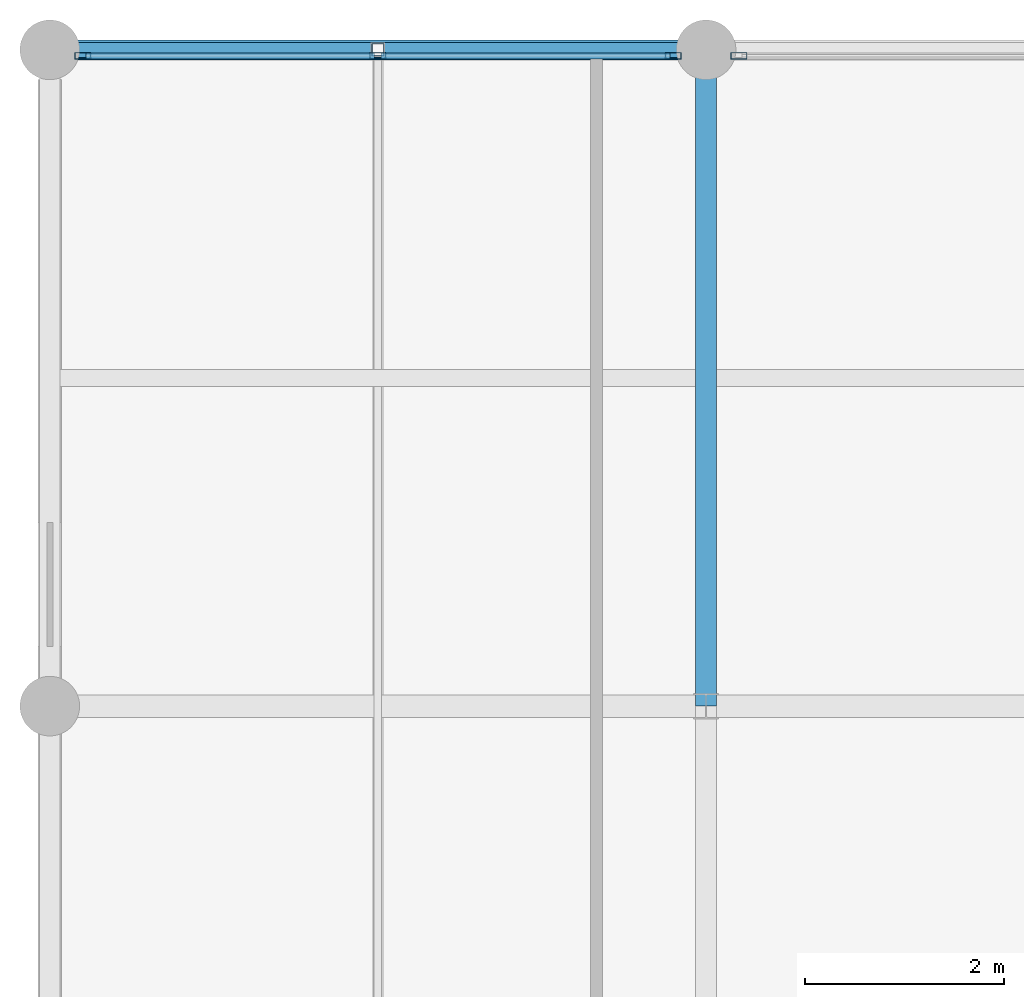
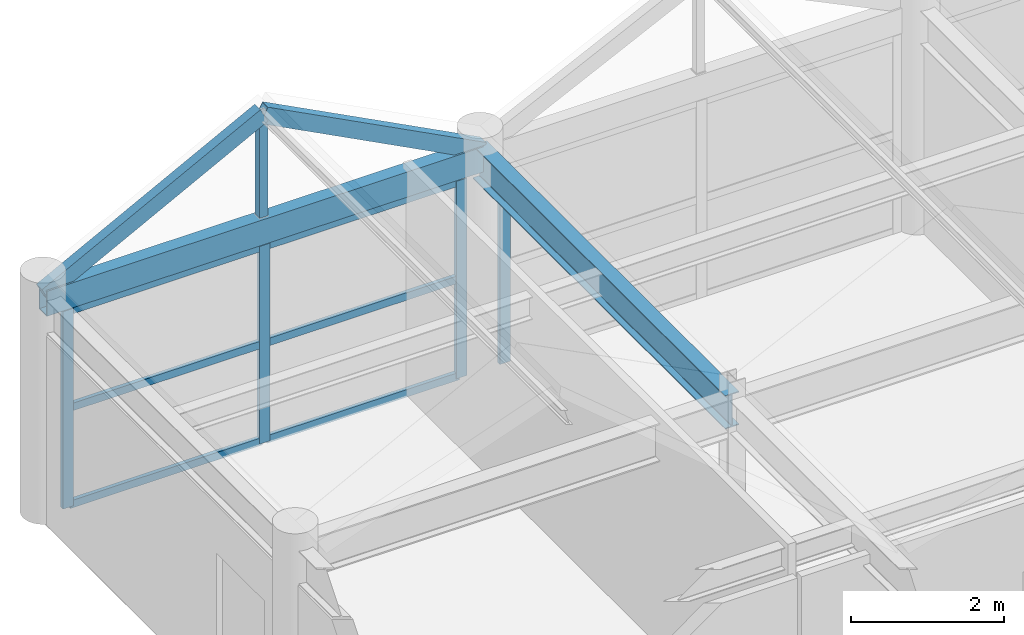
# One storey, part 8 of 21: 13 members, 2 beams, 2 elements without a shape of their own.
"""IFC4 building model written with IfcOpenShell, lengths in metres."""

from ifc_helpers import new_model, si_unit, direction, frame, origin, origin_2d, place, context, subcontext, project, spatial, hollow_rectangle, i_section, extrude, material, material_profile, profile_set, type_object, element, aggregate, save


model = new_model("IFC4")

# Units and contexts
model_context = context("Model", 3, precision=1e-05, world=origin(), true_north=direction((0.0, 1.0)))
body_context = subcontext(model_context, "Body", "Model", "MODEL_VIEW")
ifc_project = project(units=[si_unit("LENGTHUNIT", "METRE"), si_unit("AREAUNIT", "SQUARE_METRE"), si_unit("VOLUMEUNIT", "CUBIC_METRE"), si_unit("PLANEANGLEUNIT", "RADIAN"), si_unit("MASSUNIT", "GRAM", prefix="KILO")], contexts=[model_context])

# Site, building, storey
site_placement = place(None, origin())
site = spatial("IfcSite", under=ifc_project, at=site_placement, CompositionType="ELEMENT")
building_placement = place(site_placement, origin())
building = spatial("IfcBuilding", under=site, at=building_placement, Name="Karori Crest Natural Sciences Institute", CompositionType="ELEMENT")
storey_placement = place(building_placement, frame((0.0, 0.0, 42.0)))
storey = spatial("IfcBuildingStorey", under=building, at=storey_placement, Name="L10", CompositionType="ELEMENT", Elevation=42.0)

# Beams
ifc_material_1 = material(Name="Structural steel AS/NZS 3679.1 Grade 350", Category="steel")
ifc_material_profile_1 = material_profile(ifc_material_1, i_section(OverallWidth=0.208984375, OverallDepth=0.532958984375, WebThickness=0.01025390625, FlangeThickness=0.015625, FilletRadius=0.013916015625, at=origin_2d()), Name="530UB92.4")
ifc_profile_set_1 = profile_set([ifc_material_profile_1], Name="Structural steel AS/NZS 3679.1 Grade 350")
beam_type_1 = type_object("IfcBeamType", Name="BT-05", PredefinedType="BEAM", material=ifc_profile_set_1)
beam_1_placement = place(storey_placement, frame((110.199951171875, 14.0, 3.303466796875), z_axis=(0.0, 1.0, 0.0), x_axis=(-1.0, 0.0, 0.0)))
element("IfcBeam", 1, at=beam_1_placement, inside=storey, type_object=beam_type_1, Name="Beam B-2852", PredefinedType="BEAM", context=body_context, shape_type="SweptSolid", body=[
    extrude(i_section(OverallWidth=0.208984375, OverallDepth=0.532958984375, WebThickness=0.01025390625, FlangeThickness=0.015625, FilletRadius=0.013916015625, at=origin_2d()), origin(), (0.0, 0.0, 1.0), 6.60009765625),
])
ifc_material_2 = material(Name="Hollow structural steel AS/NZS 1163 Grade C350", Category="steel")
ifc_material_profile_2 = material_profile(ifc_material_2, hollow_rectangle(XDim=0.199951171875, YDim=0.39990234375, WallThickness=0.012451171875, at=origin_2d()), Name="RHS400x200x12.5")
ifc_profile_set_2 = profile_set([ifc_material_profile_2], Name="Hollow structural steel AS/NZS 1163 Grade C350")
beam_type_2 = type_object("IfcBeamType", Name="BT-14", PredefinedType="SPANDREL", material=ifc_profile_set_2)
beam_2_placement = place(storey_placement, frame((103.60009765625, 20.60009765625, 3.3701171875), z_axis=(1.0, 0.0, 0.0), x_axis=(0.0, 1.0, 0.0)))
element("IfcBeam", 2, at=beam_2_placement, inside=storey, type_object=beam_type_2, Name="Beam B-2842", PredefinedType="SPANDREL", context=body_context, shape_type="SweptSolid", body=[
    extrude(hollow_rectangle(XDim=0.199951171875, YDim=0.39990234375, WallThickness=0.012451171875, at=origin_2d()), origin(), (0.0, 0.0, 1.0), 6.599853515625),
])

# Curtain wall, members
ifc_material_3 = material(Name="Anodised architectural aluminium 6063-T6", Category="aluminium")
curtain_wall_type = type_object("IfcCurtainWallType", Name="CWT-20", PredefinedType="NOTDEFINED", material=ifc_material_3)
curtain_wall_1_placement = place(storey_placement, origin())
curtain_wall_1 = element("IfcCurtainWall", 3, at=curtain_wall_1_placement, inside=storey, type_object=curtain_wall_type, Name="Curtain wall CW-0379", PredefinedType="NOTDEFINED")
ifc_material_profile_3 = material_profile(ifc_material_3, hollow_rectangle(XDim=0.06494140625, YDim=0.159912109375, WallThickness=0.00390625, at=origin_2d()), Name="CWM160x65x4")
ifc_profile_set_3 = profile_set([ifc_material_profile_3], Name="Anodised architectural aluminium 6063-T6")
member_type_1 = type_object("IfcMemberType", Name="CWM-01", PredefinedType="MULLION", material=ifc_profile_set_3)
member_1_placement = place(storey_placement, frame((103.930419921875, 20.5400390625, 0.0), z_axis=(0.0, 0.0, 1.0), x_axis=(0.0, 1.0, 0.0)))
member_1 = element("IfcMember", 4, at=member_1_placement, type_object=member_type_1, Name="CW-0379 mullion 1", PredefinedType="MULLION", context=body_context, shape_type="SweptSolid", body=[
    extrude(hollow_rectangle(XDim=0.06494140625, YDim=0.159912109375, WallThickness=0.00390625, at=origin_2d()), origin(), (0.0, 0.0, 1.0), 3.155029296875),
])
member_2_placement = place(storey_placement, frame((106.89990234375, 20.5400390625, 0.0), z_axis=(0.0, 0.0, 1.0), x_axis=(0.0, 1.0, 0.0)))
member_2 = element("IfcMember", 5, at=member_2_placement, type_object=member_type_1, Name="CW-0379 mullion 2", PredefinedType="MULLION", context=body_context, shape_type="SweptSolid", body=[
    extrude(hollow_rectangle(XDim=0.06494140625, YDim=0.159912109375, WallThickness=0.00390625, at=origin_2d()), origin(), (0.0, 0.0, 1.0), 3.155029296875),
])
member_3_placement = place(storey_placement, frame((109.869384765625, 20.5400390625, 0.0), z_axis=(0.0, 0.0, 1.0), x_axis=(0.0, 1.0, 0.0)))
member_3 = element("IfcMember", 6, at=member_3_placement, type_object=member_type_1, Name="CW-0379 mullion 3", PredefinedType="MULLION", context=body_context, shape_type="SweptSolid", body=[
    extrude(hollow_rectangle(XDim=0.06494140625, YDim=0.159912109375, WallThickness=0.00390625, at=origin_2d()), origin(), (0.0, 0.0, 1.0), 3.155029296875),
])

# Curtain wall, member
curtain_wall_2_placement = place(storey_placement, origin())
curtain_wall_2 = element("IfcCurtainWall", 7, at=curtain_wall_2_placement, inside=storey, type_object=curtain_wall_type, Name="Curtain wall CW-0380", PredefinedType="NOTDEFINED")
member_4_placement = place(storey_placement, frame((110.530517578125, 20.5400390625, 0.0), z_axis=(0.0, 0.0, 1.0), x_axis=(0.0, 1.0, 0.0)))
member_4 = element("IfcMember", 8, at=member_4_placement, type_object=member_type_1, Name="CW-0380 mullion 1", PredefinedType="MULLION", context=body_context, shape_type="SweptSolid", body=[
    extrude(hollow_rectangle(XDim=0.06494140625, YDim=0.159912109375, WallThickness=0.00390625, at=origin_2d()), origin(), (0.0, 0.0, 1.0), 3.155029296875),
])
aggregate(curtain_wall_2, [member_4])

# Member
ifc_material_profile_4 = material_profile(ifc_material_3, hollow_rectangle(XDim=0.06005859375, YDim=0.1201171875, WallThickness=0.00390625, at=origin_2d()), Name="CWT120x60x4")
ifc_profile_set_4 = profile_set([ifc_material_profile_4], Name="Anodised architectural aluminium 6063-T6")
member_type_2 = type_object("IfcMemberType", Name="CWT-TR1", PredefinedType="USERDEFINED", material=ifc_profile_set_4)
member_5_placement = place(storey_placement, frame((103.962890625, 20.5400390625, 0.030029296875), z_axis=(1.0, 0.0, 0.0), x_axis=(0.0, 1.0, 0.0)))
member_5 = element("IfcMember", 9, at=member_5_placement, type_object=member_type_2, Name="CW-0379 transom 1.1", ObjectType="TRANSOM", PredefinedType="USERDEFINED", context=body_context, shape_type="SweptSolid", body=[
    extrude(hollow_rectangle(XDim=0.06005859375, YDim=0.1201171875, WallThickness=0.00390625, at=origin_2d()), origin(), (0.0, 0.0, 1.0), 2.904541015625),
])

member_6_placement = place(storey_placement, frame((103.962890625, 20.5400390625, 1.577392578125), z_axis=(1.0, 0.0, 0.0), x_axis=(0.0, 1.0, 0.0)))
member_6 = element("IfcMember", 10, at=member_6_placement, type_object=member_type_2, Name="CW-0379 transom 1.2", ObjectType="TRANSOM", PredefinedType="USERDEFINED", context=body_context, shape_type="SweptSolid", body=[
    extrude(hollow_rectangle(XDim=0.06005859375, YDim=0.1201171875, WallThickness=0.00390625, at=origin_2d()), origin(), (0.0, 0.0, 1.0), 2.904541015625),
])

member_7_placement = place(storey_placement, frame((103.962890625, 20.5400390625, 3.125), z_axis=(1.0, 0.0, 0.0), x_axis=(0.0, 1.0, 0.0)))
member_7 = element("IfcMember", 11, at=member_7_placement, type_object=member_type_2, Name="CW-0379 transom 1.3", ObjectType="TRANSOM", PredefinedType="USERDEFINED", context=body_context, shape_type="SweptSolid", body=[
    extrude(hollow_rectangle(XDim=0.06005859375, YDim=0.1201171875, WallThickness=0.00390625, at=origin_2d()), origin(), (0.0, 0.0, 1.0), 2.904541015625),
])

member_8_placement = place(storey_placement, frame((106.9326171875, 20.5400390625, 0.030029296875), z_axis=(1.0, 0.0, 0.0), x_axis=(0.0, 1.0, 0.0)))
member_8 = element("IfcMember", 12, at=member_8_placement, type_object=member_type_2, Name="CW-0379 transom 2.1", ObjectType="TRANSOM", PredefinedType="USERDEFINED", context=body_context, shape_type="SweptSolid", body=[
    extrude(hollow_rectangle(XDim=0.06005859375, YDim=0.1201171875, WallThickness=0.00390625, at=origin_2d()), origin(), (0.0, 0.0, 1.0), 2.904296875),
])

member_9_placement = place(storey_placement, frame((106.9326171875, 20.5400390625, 1.577392578125), z_axis=(1.0, 0.0, 0.0), x_axis=(0.0, 1.0, 0.0)))
member_9 = element("IfcMember", 13, at=member_9_placement, type_object=member_type_2, Name="CW-0379 transom 2.2", ObjectType="TRANSOM", PredefinedType="USERDEFINED", context=body_context, shape_type="SweptSolid", body=[
    extrude(hollow_rectangle(XDim=0.06005859375, YDim=0.1201171875, WallThickness=0.00390625, at=origin_2d()), origin(), (0.0, 0.0, 1.0), 2.904296875),
])

member_10_placement = place(storey_placement, frame((106.9326171875, 20.5400390625, 3.125), z_axis=(1.0, 0.0, 0.0), x_axis=(0.0, 1.0, 0.0)))
member_10 = element("IfcMember", 14, at=member_10_placement, type_object=member_type_2, Name="CW-0379 transom 2.3", ObjectType="TRANSOM", PredefinedType="USERDEFINED", context=body_context, shape_type="SweptSolid", body=[
    extrude(hollow_rectangle(XDim=0.06005859375, YDim=0.1201171875, WallThickness=0.00390625, at=origin_2d()), origin(), (0.0, 0.0, 1.0), 2.904296875),
])

aggregate(curtain_wall_1, [member_1, member_2, member_3, member_5, member_6, member_7, member_8, member_9, member_10])

# Members
ifc_material_profile_5 = material_profile(ifc_material_2, hollow_rectangle(XDim=0.14990234375, YDim=0.25, WallThickness=0.009033203125, at=origin_2d()), Name="RHS250x150x9")
ifc_profile_set_5 = profile_set([ifc_material_profile_5], Name="Hollow structural steel AS/NZS 1163 Grade C350")
member_type_3 = type_object("IfcMemberType", Name="MT-08", PredefinedType="RAFTER", material=ifc_profile_set_5)
member_11_placement = place(storey_placement, frame((103.60009765625, 20.60009765625, 3.489990234375), z_axis=(0.886768441903, 0.0, 0.462213944451), x_axis=(0.0, 1.0, 0.0)))
element("IfcMember", 15, at=member_11_placement, inside=storey, type_object=member_type_3, Name="Member M-0465", PredefinedType="RAFTER", context=body_context, shape_type="SweptSolid", body=[
    extrude(hollow_rectangle(XDim=0.14990234375, YDim=0.25, WallThickness=0.009033203125, at=origin_2d()), origin(), (0.0, 0.0, 1.0), 3.72119140625),
])
member_12_placement = place(storey_placement, frame((110.199951171875, 20.60009765625, 3.489990234375), z_axis=(-0.886782457456, 0.0, 0.462187054285), x_axis=(0.0, -1.0, 0.0)))
element("IfcMember", 16, at=member_12_placement, inside=storey, type_object=member_type_3, Name="Member M-0466", PredefinedType="RAFTER", context=body_context, shape_type="SweptSolid", body=[
    extrude(hollow_rectangle(XDim=0.14990234375, YDim=0.25, WallThickness=0.009033203125, at=origin_2d()), origin(), (0.0, 0.0, 1.0), 3.721435546875),
])
ifc_material_profile_6 = material_profile(ifc_material_2, hollow_rectangle(XDim=0.125, YDim=0.125, WallThickness=0.006103515625, at=origin_2d()), Name="SHS125x125x6")
ifc_profile_set_6 = profile_set([ifc_material_profile_6], Name="Hollow structural steel AS/NZS 1163 Grade C350")
member_type_4 = type_object("IfcMemberType", Name="MT-20", PredefinedType="STRUT", material=ifc_profile_set_6)
member_13_placement = place(storey_placement, frame((106.89990234375, 20.60009765625, 3.58203125), z_axis=(0.0, 0.0, 1.0), x_axis=(1.0, 0.0, 0.0)))
element("IfcMember", 17, at=member_13_placement, inside=storey, type_object=member_type_4, Name="Member M-0462", PredefinedType="STRUT", context=body_context, shape_type="SweptSolid", body=[
    extrude(hollow_rectangle(XDim=0.125, YDim=0.125, WallThickness=0.006103515625, at=origin_2d()), origin(), (0.0, 0.0, 1.0), 1.6279296875),
])

save(model, "model.ifc")
